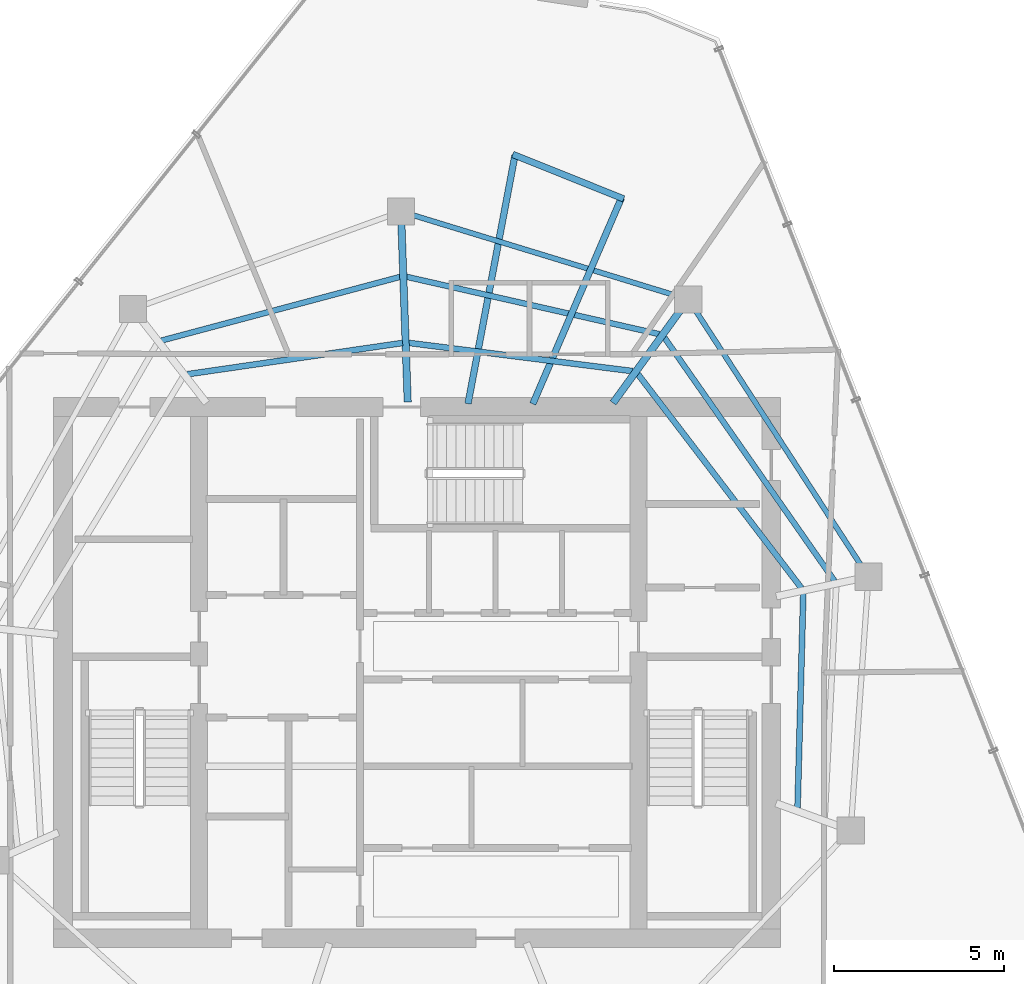
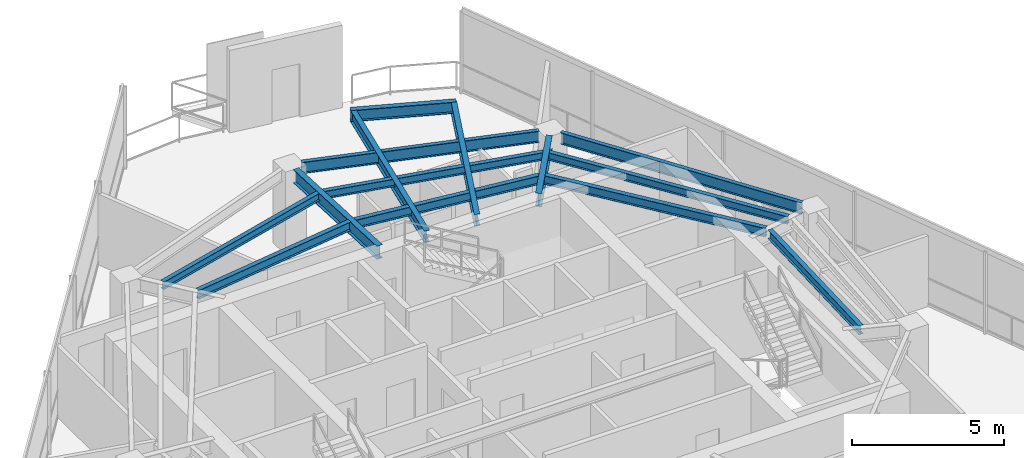
# One storey, part 9 of 19: 14 beams.
"""IFC4 building model written with IfcOpenShell, lengths in metres."""

from ifc_helpers import new_model, si_unit, direction, frame, origin, origin_2d, place, context, subcontext, project, spatial, i_section, extrude, material, material_profile, profile_set, type_object, element, save


model = new_model("IFC4")

# Units and contexts
model_context = context("Model", 3, precision=1e-05, world=origin(), true_north=direction((0.0, 1.0)))
body_context = subcontext(model_context, "Body", "Model", "MODEL_VIEW")
ifc_project = project(units=[si_unit("LENGTHUNIT", "METRE"), si_unit("AREAUNIT", "SQUARE_METRE"), si_unit("VOLUMEUNIT", "CUBIC_METRE"), si_unit("PLANEANGLEUNIT", "RADIAN"), si_unit("MASSUNIT", "GRAM", prefix="KILO")], contexts=[model_context])

# Site, building, storey
site_placement = place(None, origin())
site = spatial("IfcSite", under=ifc_project, at=site_placement, CompositionType="ELEMENT")
building_placement = place(site_placement, origin())
building = spatial("IfcBuilding", under=site, at=building_placement, Name="Qarnah Convention Tower", CompositionType="ELEMENT")
storey_placement = place(building_placement, frame((0.0, 0.0, 260.699951171875)))
storey = spatial("IfcBuildingStorey", under=building, at=storey_placement, Name="L70", CompositionType="ELEMENT", Elevation=260.699951171875)

# Beams
ifc_material = material(Name="Structural steel S355JR", Category="steel")
ifc_material_profile_1 = material_profile(ifc_material, i_section(OverallWidth=0.19189453125, OverallDepth=0.464111328125, WebThickness=0.010986328125, FlangeThickness=0.01806640625, at=origin_2d()), Name="W460X89")
ifc_profile_set_1 = profile_set([ifc_material_profile_1], Name="Structural steel S355JR")
beam_type_1 = type_object("IfcBeamType", Name="BM-CANT-W460A", PredefinedType="BEAM", material=ifc_profile_set_1)
beam_1_placement = place(storey_placement, frame((38.694091796875, 34.298095703125, 3.088134765625), z_axis=(0.185836759901, 0.982580632146, 0.0), x_axis=(-0.982580632146, 0.185836759901, 0.0)))
element("IfcBeam", 1, at=beam_1_placement, inside=storey, type_object=beam_type_1, Name="L70 beam BM-L70-CNT-01-1", PredefinedType="BEAM", context=body_context, shape_type="SweptSolid", body=[
    extrude(i_section(OverallWidth=0.19189453125, OverallDepth=0.464111328125, WebThickness=0.010986328125, FlangeThickness=0.01806640625, at=origin_2d()), origin(), (0.0, 0.0, 1.0), 7.42529296875),
])
beam_2_placement = place(storey_placement, frame((40.596923828125, 34.2919921875, 3.088134765625), z_axis=(0.395203303624, 0.918593679929, 0.0), x_axis=(-0.918593679929, 0.395203303624, 0.0)))
element("IfcBeam", 2, at=beam_2_placement, inside=storey, type_object=beam_type_1, Name="L70 beam BM-L70-CNT-01-2", PredefinedType="BEAM", context=body_context, shape_type="SweptSolid", body=[
    extrude(i_section(OverallWidth=0.19189453125, OverallDepth=0.464111328125, WebThickness=0.010986328125, FlangeThickness=0.01806640625, at=origin_2d()), origin(), (0.0, 0.0, 1.0), 6.583984375),
])
beam_3_placement = place(storey_placement, frame((40.009033203125, 41.6201171875, 3.088134765625), z_axis=(0.928063247738, -0.372422620417, 0.0), x_axis=(0.372422620417, 0.928063247738, 0.0)))
element("IfcBeam", 3, at=beam_3_placement, inside=storey, type_object=beam_type_1, Name="L70 spandrel BM-L70-CTIE-01", PredefinedType="SPANDREL", context=body_context, shape_type="SweptSolid", body=[
    extrude(i_section(OverallWidth=0.19189453125, OverallDepth=0.464111328125, WebThickness=0.010986328125, FlangeThickness=0.01806640625, at=origin_2d()), origin(), (0.0, 0.0, 1.0), 3.507080078125),
])
ifc_material_profile_2 = material_profile(ifc_material, i_section(OverallWidth=0.166015625, OverallDepth=0.31201171875, WebThickness=0.007080078125, FlangeThickness=0.010986328125, at=origin_2d()), Name="W310X45")
ifc_profile_set_2 = profile_set([ifc_material_profile_2], Name="Structural steel S355JR")
beam_type_2 = type_object("IfcBeamType", Name="BM-JST-W310", PredefinedType="JOIST", material=ifc_profile_set_2)
beam_4_placement = place(storey_placement, frame((49.4599609375, 29.091064453125, 3.1640625), z_axis=(-0.573009887427, 0.819548454279, 0.0), x_axis=(-0.819548454279, -0.573009887427, 0.0)))
element("IfcBeam", 4, at=beam_4_placement, inside=storey, type_object=beam_type_2, Name="L70 joist BM-L70-SJST-01", PredefinedType="JOIST", context=body_context, shape_type="SweptSolid", body=[
    extrude(i_section(OverallWidth=0.166015625, OverallDepth=0.31201171875, WebThickness=0.007080078125, FlangeThickness=0.010986328125, at=origin_2d()), origin(), (0.0, 0.0, 1.0), 8.729248046875),
])
beam_5_placement = place(storey_placement, frame((44.318115234375, 36.339111328125, 3.1640625), z_axis=(-0.975196339646, 0.221341589269, 0.0), x_axis=(-0.221341589269, -0.975196339646, 0.0)))
element("IfcBeam", 5, at=beam_5_placement, inside=storey, type_object=beam_type_2, Name="L70 joist BM-L70-SJST-02", PredefinedType="JOIST", context=body_context, shape_type="SweptSolid", body=[
    extrude(i_section(OverallWidth=0.166015625, OverallDepth=0.31201171875, WebThickness=0.007080078125, FlangeThickness=0.010986328125, at=origin_2d()), origin(), (0.0, 0.0, 1.0), 7.626220703125),
])
beam_6_placement = place(storey_placement, frame((36.7060546875, 38.02392578125, 3.1640625), z_axis=(-0.966190302214, -0.25782998256, 0.0), x_axis=(0.25782998256, -0.966190302214, 0.0)))
element("IfcBeam", 6, at=beam_6_placement, inside=storey, type_object=beam_type_2, Name="L70 joist BM-L70-SJST-03", PredefinedType="JOIST", context=body_context, shape_type="SweptSolid", body=[
    extrude(i_section(OverallWidth=0.166015625, OverallDepth=0.31201171875, WebThickness=0.007080078125, FlangeThickness=0.010986328125, at=origin_2d()), origin(), (0.0, 0.0, 1.0), 7.2646484375),
])
ifc_material_profile_3 = material_profile(ifc_material, i_section(OverallWidth=0.172119140625, OverallDepth=0.35595703125, WebThickness=0.007080078125, FlangeThickness=0.011962890625, at=origin_2d()), Name="W360X51")
ifc_profile_set_3 = profile_set([ifc_material_profile_3], Name="Structural steel S355JR")
beam_type_3 = type_object("IfcBeamType", Name="BM-JST-W360", PredefinedType="JOIST", material=ifc_profile_set_3)
beam_7_placement = place(storey_placement, frame((48.487060546875, 28.882080078125, 3.14208984375), z_axis=(-0.60729325576, 0.794477753942, 0.0), x_axis=(-0.794477753942, -0.60729325576, 0.0)))
element("IfcBeam", 7, at=beam_7_placement, inside=storey, type_object=beam_type_3, Name="L70 joist BM-L70-IJST-01", PredefinedType="JOIST", context=body_context, shape_type="SweptSolid", body=[
    extrude(i_section(OverallWidth=0.172119140625, OverallDepth=0.35595703125, WebThickness=0.007080078125, FlangeThickness=0.011962890625, at=origin_2d()), origin(), (0.0, 0.0, 1.0), 7.915771484375),
])
beam_8_placement = place(storey_placement, frame((43.535888671875, 35.25390625, 3.14208984375), z_axis=(-0.992148311533, 0.125066893787, 0.0), x_axis=(-0.125066893787, -0.992148311533, 0.0)))
element("IfcBeam", 8, at=beam_8_placement, inside=storey, type_object=beam_type_3, Name="L70 joist BM-L70-IJST-02", PredefinedType="JOIST", context=body_context, shape_type="SweptSolid", body=[
    extrude(i_section(OverallWidth=0.172119140625, OverallDepth=0.35595703125, WebThickness=0.007080078125, FlangeThickness=0.011962890625, at=origin_2d()), origin(), (0.0, 0.0, 1.0), 6.636962890625),
])
beam_9_placement = place(storey_placement, frame((36.77294921875, 36.08203125, 3.14208984375), z_axis=(-0.989593962144, -0.143888116565, 0.0), x_axis=(0.143888116565, -0.989593962144, 0.0)))
element("IfcBeam", 9, at=beam_9_placement, inside=storey, type_object=beam_type_3, Name="L70 joist BM-L70-IJST-03", PredefinedType="JOIST", context=body_context, shape_type="SweptSolid", body=[
    extrude(i_section(OverallWidth=0.172119140625, OverallDepth=0.35595703125, WebThickness=0.007080078125, FlangeThickness=0.011962890625, at=origin_2d()), origin(), (0.0, 0.0, 1.0), 6.386474609375),
])
beam_10_placement = place(storey_placement, frame((48.3720703125, 22.425048828125, 3.14208984375), z_axis=(0.026673720323, 0.999644193023, 0.0), x_axis=(-0.999644193023, 0.026673720323, 0.0)))
element("IfcBeam", 10, at=beam_10_placement, inside=storey, type_object=beam_type_3, Name="L70 joist BM-L70-IJST-09", PredefinedType="JOIST", context=body_context, shape_type="SweptSolid", body=[
    extrude(i_section(OverallWidth=0.172119140625, OverallDepth=0.35595703125, WebThickness=0.007080078125, FlangeThickness=0.011962890625, at=origin_2d()), origin(), (0.0, 0.0, 1.0), 6.297119140625),
])
ifc_material_profile_4 = material_profile(ifc_material, i_section(OverallWidth=0.2119140625, OverallDepth=0.5400390625, WebThickness=0.011962890625, FlangeThickness=0.01904296875, at=origin_2d()), Name="W530X109")
ifc_profile_set_4 = profile_set([ifc_material_profile_4], Name="Structural steel S355JR")
beam_type_4 = type_object("IfcBeamType", Name="BM-RAD-W530A", PredefinedType="BEAM", material=ifc_profile_set_4)
beam_11_placement = place(storey_placement, frame((42.955078125, 34.321044921875, 3.050048828125), z_axis=(0.587699029113, 0.809079632162, 0.0), x_axis=(-0.809079632162, 0.587699029113, 0.0)))
element("IfcBeam", 11, at=beam_11_placement, inside=storey, type_object=beam_type_4, Name="L70 beam BM-L70-RAD-02", PredefinedType="BEAM", context=body_context, shape_type="SweptSolid", body=[
    extrude(i_section(OverallWidth=0.2119140625, OverallDepth=0.5400390625, WebThickness=0.011962890625, FlangeThickness=0.01904296875, at=origin_2d()), origin(), (0.0, 0.0, 1.0), 3.37890625),
])
beam_12_placement = place(storey_placement, frame((36.923095703125, 34.35009765625, 3.050048828125), z_axis=(-0.035110435588, 0.999383438582, 0.0), x_axis=(-0.999383438582, -0.035110435588, 0.0)))
element("IfcBeam", 12, at=beam_12_placement, inside=storey, type_object=beam_type_4, Name="L70 beam BM-L70-RAD-03", PredefinedType="BEAM", context=body_context, shape_type="SweptSolid", body=[
    extrude(i_section(OverallWidth=0.2119140625, OverallDepth=0.5400390625, WebThickness=0.011962890625, FlangeThickness=0.01904296875, at=origin_2d()), origin(), (0.0, 0.0, 1.0), 5.215087890625),
])
ifc_material_profile_5 = material_profile(ifc_material, i_section(OverallWidth=0.154052734375, OverallDepth=0.4599609375, WebThickness=0.009033203125, FlangeThickness=0.014892578125, at=origin_2d()), Name="W460X68")
ifc_profile_set_5 = profile_set([ifc_material_profile_5], Name="Structural steel S355JR")
beam_type_5 = type_object("IfcBeamType", Name="BM-SPN-W460B", PredefinedType="SPANDREL", material=ifc_profile_set_5)
beam_13_placement = place(storey_placement, frame((50.241943359375, 29.5439453125, 3.090087890625), z_axis=(-0.544739511184, 0.838605309401, 0.0), x_axis=(-0.838605309401, -0.544739511184, 0.0)))
element("IfcBeam", 13, at=beam_13_placement, inside=storey, type_object=beam_type_5, Name="L70 spandrel BM-L70-SPN-01", PredefinedType="SPANDREL", context=body_context, shape_type="SweptSolid", body=[
    extrude(i_section(OverallWidth=0.154052734375, OverallDepth=0.4599609375, WebThickness=0.009033203125, FlangeThickness=0.014892578125, at=origin_2d()), origin(), (0.0, 0.0, 1.0), 8.9326171875),
])
beam_14_placement = place(storey_placement, frame((44.791015625, 37.47607421875, 3.090087890625), z_axis=(-0.95628886523, 0.292423675918, 0.0), x_axis=(-0.292423675918, -0.95628886523, 0.0)))
element("IfcBeam", 14, at=beam_14_placement, inside=storey, type_object=beam_type_5, Name="L70 spandrel BM-L70-SPN-02", PredefinedType="SPANDREL", context=body_context, shape_type="SweptSolid", body=[
    extrude(i_section(OverallWidth=0.154052734375, OverallDepth=0.4599609375, WebThickness=0.009033203125, FlangeThickness=0.014892578125, at=origin_2d()), origin(), (0.0, 0.0, 1.0), 8.04248046875),
])

save(model, "model.ifc")
